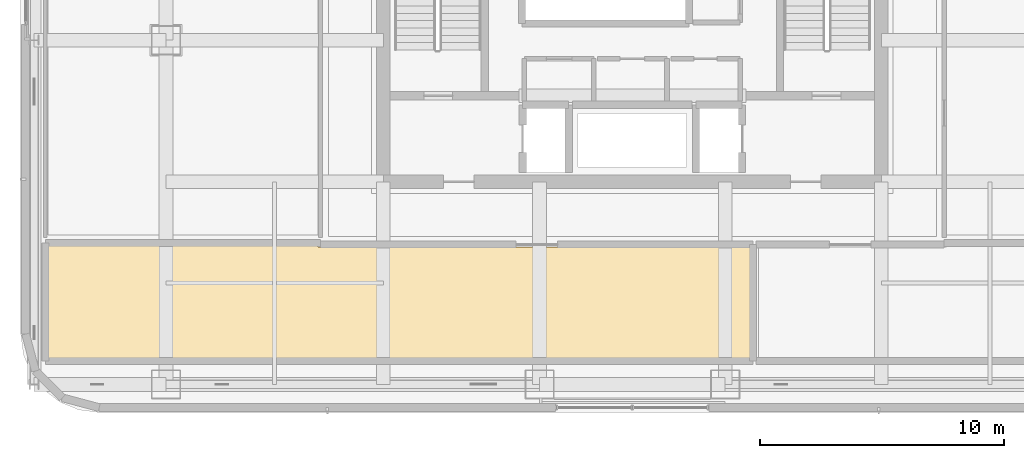
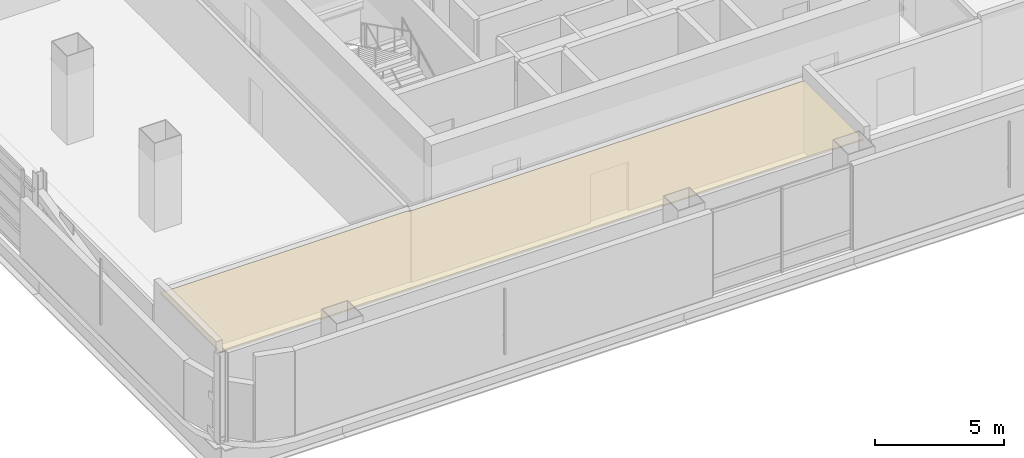
# One storey, part 19 of 31: 1 covering.
"""IFC4 building model written with IfcOpenShell, lengths in metres."""

import ifcopenshell
import ifcopenshell.guid

model = None  # the IFC model being written
_history = None  # IfcOwnerHistory: only IFC2X3 demands one
_inside = {}  # id of a spatial element -> (the spatial element, [elements in it])
_under = {}  # id of a project, library or spatial element -> (it, [spatial elements below it])
_declared = {}  # id of a project -> (the project, [libraries it declares])
_typed = {}  # id of a type object -> (the type object, [elements of that type])
_made_of = {}  # id of a material, layer set ... -> (it, [elements and type objects made of it])


def new_model(schema):
    """Start an empty IFC model of exactly this schema.

    Asked for "IFC4X3", IfcOpenShell would pick the latest addendum, in which some entities
    have other attributes; the version numbers below select the first issue.
    IFC2X3 requires an IfcOwnerHistory on every rooted entity: one is made here for all.
    """
    global model, _history
    if schema == "IFC4X3":
        model = ifcopenshell.file(schema_version=(4, 3, 0, 0))
    else:
        model = ifcopenshell.file(schema=schema)
    _inside.clear()
    _under.clear()
    _declared.clear()
    _typed.clear()
    _made_of.clear()
    _history = None
    if model.schema == "IFC2X3":
        org = make("IfcOrganization", Name="unknown")
        user = make(
            "IfcPersonAndOrganization",
            ThePerson=make("IfcPerson", FamilyName="unknown"),
            TheOrganization=org,
        )
        app = make(
            "IfcApplication",
            ApplicationDeveloper=org,
            Version="unknown",
            ApplicationFullName="unknown",
            ApplicationIdentifier="unknown",
        )
        _history = make(
            "IfcOwnerHistory",
            OwningUser=user,
            OwningApplication=app,
            ChangeAction="ADDED",
            CreationDate=0,
        )
    return model


def make(cls, **values):
    """One entity of the class cls with the attributes given. An attribute that is None is left unset."""
    return model.create_entity(
        cls, **{name: value for name, value in values.items() if value is not None}
    )


def rooted(cls, **values):
    """An entity with a GlobalId (a new one), such as an element, a storey or a relation."""
    return make(cls, GlobalId=ifcopenshell.guid.new(), OwnerHistory=_history, **values)


def si_unit(unit_type, name, prefix=None):
    """IfcSIUnit, for example si_unit("LENGTHUNIT", "METRE", prefix="MILLI")."""
    return make("IfcSIUnit", UnitType=unit_type, Prefix=prefix, Name=name)


def assignment(units):
    """IfcUnitAssignment: the units of a project."""
    return None if units is None else make("IfcUnitAssignment", Units=units)


def point(xyz):
    """IfcCartesianPoint."""
    return None if xyz is None else make("IfcCartesianPoint", Coordinates=xyz)


def direction(xyz):
    """IfcDirection."""
    return None if xyz is None else make("IfcDirection", DirectionRatios=xyz)


def frame(location, z_axis=None, x_axis=None):
    """IfcAxis2Placement3D, a coordinate frame: its origin and axes. An axis left out is left unset."""
    return make(
        "IfcAxis2Placement3D",
        Location=point(location),
        Axis=direction(z_axis),
        RefDirection=direction(x_axis),
    )


def origin():
    """The frame at (0, 0, 0) with its axes left unset."""
    return frame((0.0, 0.0, 0.0))


def place(relative_to, where):
    """IfcLocalPlacement: puts the frame where relative to a parent placement (None: the world)."""
    return make(
        "IfcLocalPlacement", PlacementRelTo=relative_to, RelativePlacement=where
    )


def context(
    kind, dimensions, precision=None, world=None, true_north=None, identifier=None
):
    """IfcGeometricRepresentationContext, for example the 3D "Model" context."""
    return make(
        "IfcGeometricRepresentationContext",
        ContextIdentifier=identifier,
        ContextType=kind,
        CoordinateSpaceDimension=dimensions,
        Precision=precision,
        WorldCoordinateSystem=world,
        TrueNorth=true_north,
    )


def subcontext(parent, identifier, kind, view, scale=None):
    """IfcGeometricRepresentationSubContext, for example "Body" below "Model"."""
    return make(
        "IfcGeometricRepresentationSubContext",
        ContextIdentifier=identifier,
        ContextType=kind,
        ParentContext=parent,
        TargetScale=scale,
        TargetView=view,
    )


def project(units=None, contexts=None):
    """IfcProject with its units and contexts."""
    return rooted(
        "IfcProject",
        Name="project",
        RepresentationContexts=contexts,
        UnitsInContext=assignment(units),
    )


def spatial(cls, under=None, at=None, **own):
    """A site, building, storey or space (cls), placed at a placement, below another one or the project."""
    s = rooted(cls, ObjectPlacement=at, **own)
    if under is not None:
        _under.setdefault(under.id(), (under, []))[1].append(s)
    return s


def polyline(points):
    """IfcPolyline through the points."""
    return make("IfcPolyline", Points=[point(p) for p in points])


def outline(outer, holes=None, kind="AREA"):
    """IfcArbitraryClosedProfileDef: a profile drawn as a closed curve; with holes, ...WithVoids."""
    if holes is None:
        return make("IfcArbitraryClosedProfileDef", ProfileType=kind, OuterCurve=outer)
    return make(
        "IfcArbitraryProfileDefWithVoids",
        ProfileType=kind,
        OuterCurve=outer,
        InnerCurves=holes,
    )


def extrude(swept, where, along, depth):
    """IfcExtrudedAreaSolid: the profile swept, set in the frame where, extruded along a direction by depth."""
    return make(
        "IfcExtrudedAreaSolid",
        SweptArea=swept,
        Position=where,
        ExtrudedDirection=direction(along),
        Depth=depth,
    )


def shape(context_of_items, identifier, shape_type, items):
    """IfcShapeRepresentation: the items that make up one representation, for example the "Body"."""
    return make(
        "IfcShapeRepresentation",
        ContextOfItems=context_of_items,
        RepresentationIdentifier=identifier,
        RepresentationType=shape_type,
        Items=items,
    )


def material(Name=None, Category=None):
    """IfcMaterial."""
    return make("IfcMaterial", Name=Name, Category=Category)


def layer(
    of_material, thickness, ventilated=None, Name=None, Category=None, Priority=None
):
    """IfcMaterialLayer: one layer of a wall or slab, of a material (None: an air gap)."""
    return make(
        "IfcMaterialLayer",
        Material=of_material,
        LayerThickness=thickness,
        IsVentilated=ventilated,
        Name=Name,
        Category=Category,
        Priority=Priority,
    )


def layer_set(layers, Name=None):
    """IfcMaterialLayerSet."""
    return make("IfcMaterialLayerSet", MaterialLayers=layers, LayerSetName=Name)


def made_of(thing, what):
    """Note that an element or type object is made of a material, layer set ...; save() writes the relation."""
    if what is not None:
        _made_of.setdefault(what.id(), (what, []))[1].append(thing)
    return thing


def type_object(cls, material=None, **own):
    """A type object (cls), such as IfcWallType, which elements share."""
    return made_of(rooted(cls, **own), material)


def element(
    cls,
    number,
    at=None,
    inside=None,
    cuts=None,
    type_object=None,
    material=None,
    context=None,
    identifier="Body",
    shape_type=None,
    held_by="IfcProductDefinitionShape",
    body=None,
    shapes=None,
    **own,
):
    """One element of the class cls, such as IfcWall. Its Tag is "e" and its number.

    at: its placement. inside: the storey or other place that contains it. cuts: it is an
    opening in that element (IfcRelVoidsElement). A single representation is given by context,
    identifier, shape_type and body (its items); several are given by shapes. held_by: the class
    of the entity that holds the representations. save() writes the other relations.
    """
    e = rooted(cls, Tag="e%d" % number, ObjectPlacement=at, **own)
    if body is not None:
        shapes = [shape(context, identifier, shape_type, body)]
    if shapes is not None:
        e.Representation = make(held_by, Representations=shapes)
    if inside is not None:
        _inside.setdefault(inside.id(), (inside, []))[1].append(e)
    if cuts is not None:
        rooted(
            "IfcRelVoidsElement", RelatingBuildingElement=cuts, RelatedOpeningElement=e
        )
    if type_object is not None:
        _typed.setdefault(type_object.id(), (type_object, []))[1].append(e)
    return made_of(e, material)


def aggregate(whole, parts):
    """IfcRelAggregates: a whole, such as a stair, and the parts it consists of."""
    return rooted("IfcRelAggregates", RelatingObject=whole, RelatedObjects=parts)


def save(model, path):
    """Write the relations noted so far, then the file.

    IfcRelAggregates (storeys below a building ...), IfcRelContainedInSpatialStructure (elements
    in a storey), IfcRelDefinesByType, IfcRelAssociatesMaterial and IfcRelDeclares: one each for
    every whole, place, type object, material and project.
    """
    for whole, parts in _under.values():
        aggregate(whole, parts)
    for where, things in _inside.values():
        rooted(
            "IfcRelContainedInSpatialStructure",
            RelatedElements=things,
            RelatingStructure=where,
        )
    for kind, things in _typed.values():
        rooted("IfcRelDefinesByType", RelatedObjects=things, RelatingType=kind)
    for what, things in _made_of.values():
        rooted("IfcRelAssociatesMaterial", RelatedObjects=things, RelatingMaterial=what)
    for by, libraries in _declared.values():
        rooted("IfcRelDeclares", RelatingContext=by, RelatedDefinitions=libraries)
    model.write(path)


model = new_model("IFC4")

# Units and contexts
model_context = context("Model", 3, precision=1e-05, world=origin(), true_north=direction((0.0, 1.0)))
body_context = subcontext(model_context, "Body", "Model", "MODEL_VIEW")
ifc_project = project(units=[si_unit("LENGTHUNIT", "METRE"), si_unit("AREAUNIT", "SQUARE_METRE"), si_unit("VOLUMEUNIT", "CUBIC_METRE"), si_unit("PLANEANGLEUNIT", "RADIAN"), si_unit("MASSUNIT", "GRAM", prefix="KILO")], contexts=[model_context])

# Site, building, storey
site_placement = place(None, origin())
site = spatial("IfcSite", under=ifc_project, at=site_placement, CompositionType="ELEMENT")
building_placement = place(site_placement, origin())
building = spatial("IfcBuilding", under=site, at=building_placement, Name="Punatoya Terracotta Tower", CompositionType="ELEMENT")
storey_placement = place(building_placement, frame((0.0, 0.0, 283.800048828125)))
storey = spatial("IfcBuildingStorey", under=building, at=storey_placement, Name="L67", CompositionType="ELEMENT", Elevation=283.800048828125)

# Covering
ifc_material = material(Name="Acoustic Mineral Fibre Ceiling")
ifc_layer = layer(ifc_material, 0.06005859375)
ifc_layer_set = layer_set([ifc_layer], Name="Acoustic Mineral Fibre Ceiling")
covering_type = type_object("IfcCoveringType", Name="COV-CEIL-60", PredefinedType="CEILING", material=ifc_layer_set)
covering_placement = place(storey_placement, frame((0.0, 0.0, 3.31005859375)))
element("IfcCovering", 1, at=covering_placement, inside=storey, type_object=covering_type, Name="L67 Client Dining Salon Acoustic Ceiling", PredefinedType="CEILING", context=body_context, shape_type="SweptSolid", body=[
    extrude(outline(polyline([(-12.8701171875, -11.8701171875), (-12.8701171875, -11.81005859375), (-23.93994140625, -11.81005859375), (-23.93994140625, -16.43994140625), (4.847900390625, -16.43994140625), (4.847900390625, -11.8701171875), (-12.8701171875, -11.8701171875)])), origin(), (0.0, 0.0, 1.0), 0.059814453125),
])

save(model, "model.ifc")
